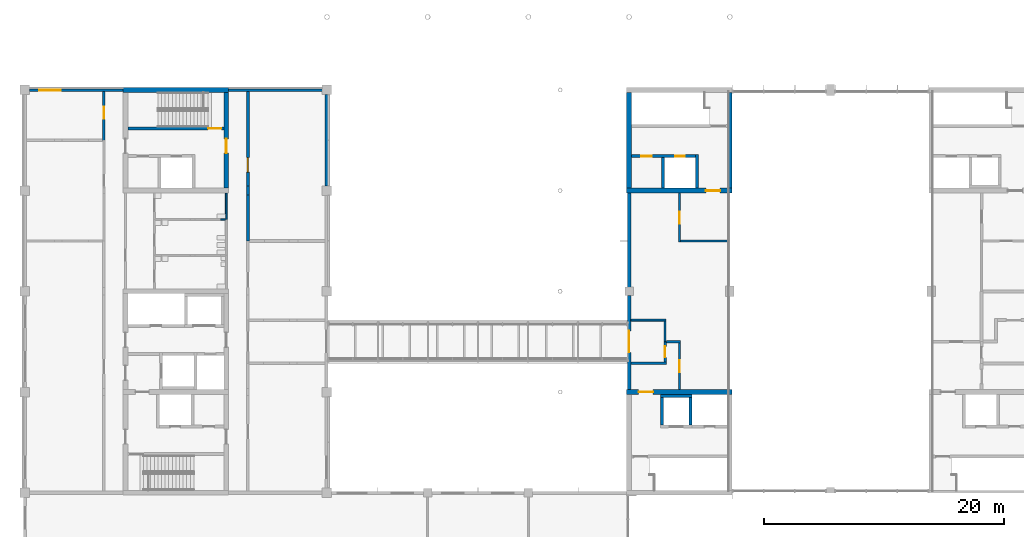
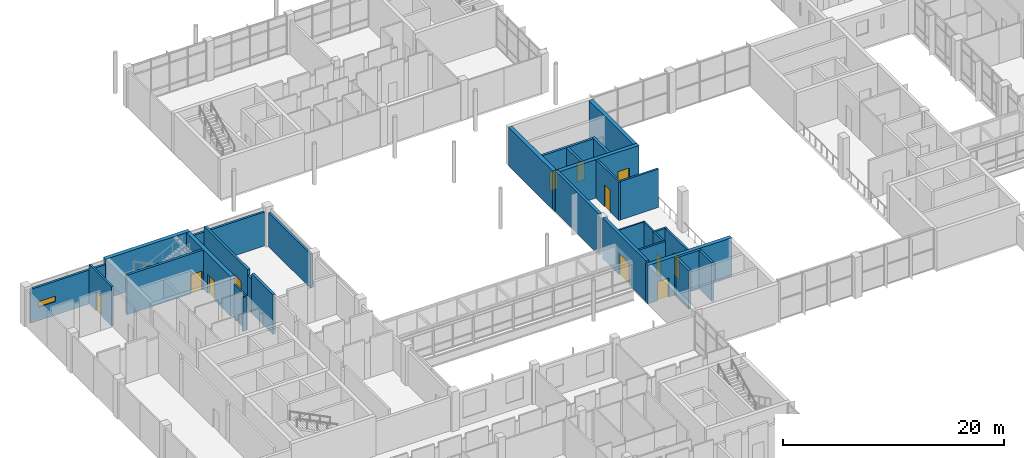
# One storey, part 37 of 70: 32 walls, 12 doors, 1 window, 13 openings.
"""IFC4 building model written with IfcOpenShell, lengths in metres."""

from ifc_helpers import new_model, si_unit, direction, frame, frame_2d, origin, place, context, subcontext, project, spatial, rectangle, extrude, material, layer, layer_set, type_object, element, fill, save


model = new_model("IFC4")

# Units and contexts
model_context = context("Model", 3, precision=1e-05, world=origin(), true_north=direction((0.0, 1.0)))
body_context = subcontext(model_context, "Body", "Model", "MODEL_VIEW")
ifc_project = project(units=[si_unit("LENGTHUNIT", "METRE"), si_unit("AREAUNIT", "SQUARE_METRE"), si_unit("VOLUMEUNIT", "CUBIC_METRE"), si_unit("PLANEANGLEUNIT", "RADIAN"), si_unit("MASSUNIT", "GRAM", prefix="KILO")], contexts=[model_context])

# Site, building, storey
site_placement = place(None, origin())
site = spatial("IfcSite", under=ifc_project, at=site_placement, CompositionType="ELEMENT")
building_placement = place(site_placement, origin())
building = spatial("IfcBuilding", under=site, at=building_placement, Name="Hlaing Beacon Police Headquarters", CompositionType="ELEMENT")
storey_placement = place(building_placement, frame((0.0, 0.0, 5.39990234375)))
storey = spatial("IfcBuildingStorey", under=building, at=storey_placement, Name="L01", CompositionType="ELEMENT", Elevation=5.39990234375)

# Wall, opening, door
ifc_material_1 = material(Name="Concrete C60/75", Category="concrete")
ifc_layer_1 = layer(ifc_material_1, 0.39990234375)
ifc_layer_set_1 = layer_set([ifc_layer_1], Name="Concrete C60/75")
wall_type_1 = type_object("IfcWallType", Name="Core shear wall 400", PredefinedType="SHEAR", material=ifc_layer_set_1)
wall_1_placement = place(storey_placement, frame((58.60009765625, 42.0, 0.0), z_axis=(0.0, 0.0, 1.0), x_axis=(1.0, 0.0, 0.0)))
wall_1 = element("IfcWall", 1, at=wall_1_placement, inside=storey, type_object=wall_type_1, Name="Core shear wall", PredefinedType="SHEAR", context=body_context, shape_type="SweptSolid", body=[
    extrude(rectangle(XDim=8.7998046875, YDim=0.39990234375, at=frame_2d((4.39990234375, 0.0))), origin(), (0.0, 0.0, 1.0), 4.25),
])
opening_1_placement = place(wall_1_placement, frame((1.0, 0.0, 0.0)))
opening_1 = element("IfcOpeningElement", 2, at=opening_1_placement, cuts=wall_1, Name="Opening L01-901", PredefinedType="OPENING", context=body_context, shape_type="SweptSolid", body=[
    extrude(rectangle(XDim=1.199951171875, YDim=2.10009765625, at=frame_2d((0.60009765625, 1.050048828125))), frame((0.0, 0.2099609375, 0.0), z_axis=(0.0, -1.0, 0.0), x_axis=(1.0, 0.0, 0.0)), (0.0, 0.0, 1.0), 0.419921875),
])
ifc_material_2 = material(Name="Steel fire door leaf", Category="steel")
ifc_layer_2 = layer(ifc_material_2, 0.070068359375)
ifc_layer_set_2 = layer_set([ifc_layer_2], Name="Steel fire door leaf")
door_type_1 = type_object("IfcDoorType", Name="Steel fire door FD60S 1200x2100", OperationType="SINGLE_SWING_LEFT", PredefinedType="DOOR", material=ifc_layer_set_2)
door_1_placement = place(opening_1_placement, frame((1.199951171875, 0.0, 0.0), z_axis=(0.0, 0.0, 1.0), x_axis=(-1.0, 0.0, 0.0)))
door_1 = element("IfcDoor", 3, at=door_1_placement, inside=storey, type_object=door_type_1, Name="Door Lift and Stair Lobby ST-A Entry", OperationType="SINGLE_SWING_RIGHT", OverallHeight=2.10009765625, OverallWidth=1.199951171875, PredefinedType="DOOR", context=body_context, shape_type="SweptSolid", body=[
    extrude(rectangle(XDim=1.199951171875, YDim=2.10009765625, at=frame_2d((0.599853515625, 1.050048828125))), frame((0.0, 0.034912109375, 0.0), z_axis=(0.0, -1.0, 0.0), x_axis=(1.0, 0.0, 0.0)), (0.0, 0.0, 1.0), 0.070068359375),
])
fill(opening_1, door_1)

wall_2_placement = place(storey_placement, frame((58.60009765625, 58.800048828125, 0.0), z_axis=(0.0, 0.0, 1.0), x_axis=(1.0, 0.0, 0.0)))
wall_2 = element("IfcWall", 4, at=wall_2_placement, inside=storey, type_object=wall_type_1, Name="Core shear wall", PredefinedType="SHEAR", context=body_context, shape_type="SweptSolid", body=[
    extrude(rectangle(XDim=8.7998046875, YDim=0.39990234375, at=frame_2d((4.39990234375, 0.0))), origin(), (0.0, 0.0, 1.0), 4.25),
])
opening_2_placement = place(wall_2_placement, frame((6.60009765625, 0.0, 0.0)))
opening_2 = element("IfcOpeningElement", 5, at=opening_2_placement, cuts=wall_2, Name="Opening L01-905", PredefinedType="OPENING", context=body_context, shape_type="SweptSolid", body=[
    extrude(rectangle(XDim=1.199951171875, YDim=2.10009765625, at=frame_2d((0.60009765625, 1.050048828125))), frame((0.0, 0.2099609375, 0.0), z_axis=(0.0, -1.0, 0.0), x_axis=(1.0, 0.0, 0.0)), (0.0, 0.0, 1.0), 0.419921875),
])
door_2_placement = place(opening_2_placement, origin())
door_2 = element("IfcDoor", 6, at=door_2_placement, inside=storey, type_object=door_type_1, Name="Door Stair Lobby ST-B Entry", OperationType="SINGLE_SWING_RIGHT", OverallHeight=2.10009765625, OverallWidth=1.199951171875, PredefinedType="DOOR", context=body_context, shape_type="SweptSolid", body=[
    extrude(rectangle(XDim=1.199951171875, YDim=2.10009765625, at=frame_2d((0.60009765625, 1.050048828125))), frame((0.0, 0.03515625, 0.0), z_axis=(0.0, -1.0, 0.0), x_axis=(1.0, 0.0, 0.0)), (0.0, 0.0, 1.0), 0.070068359375),
])
fill(opening_2, door_2)

# Walls
for number, where, z_axis, x_axis, name in (
    (7, (58.800048828125, 59.0, 0.0), (0.0, 0.0, 1.0), (0.0, 1.0, 0.0), "Core shear wall"),
    (8, (67.199951171875, 59.0, 0.0), (0.0, 0.0, 1.0), (0.0, 1.0, 0.0), "Core shear wall"),
):
    element("IfcWall", number, at=place(storey_placement, frame(where, z_axis=z_axis, x_axis=x_axis)), inside=storey, type_object=wall_type_1, Name=name, PredefinedType="SHEAR", context=body_context, shape_type="SweptSolid", body=[
        extrude(rectangle(XDim=8.0, YDim=0.39990234375, at=frame_2d((4.0, 0.0))), origin(), (0.0, 0.0, 1.0), 4.25),
    ])
wall_3_placement = place(storey_placement, frame((16.60009765625, 67.199951171875, 0.0), z_axis=(0.0, 0.0, 1.0), x_axis=(1.0, 0.0, 0.0)))
element("IfcWall", 9, at=wall_3_placement, inside=storey, type_object=wall_type_1, Name="Core shear wall", PredefinedType="SHEAR", context=body_context, shape_type="SweptSolid", body=[
    extrude(rectangle(XDim=8.7998046875, YDim=0.39990234375, at=frame_2d((4.39990234375, 0.0))), origin(), (0.0, 0.0, 1.0), 4.3701171875),
])

# Wall, opening, door
wall_4_placement = place(storey_placement, frame((25.199951171875, 59.0, 0.0), z_axis=(0.0, 0.0, 1.0), x_axis=(0.0, 1.0, 0.0)))
wall_4 = element("IfcWall", 10, at=wall_4_placement, inside=storey, type_object=wall_type_1, Name="Core shear wall", PredefinedType="SHEAR", context=body_context, shape_type="SweptSolid", body=[
    extrude(rectangle(XDim=8.0, YDim=0.39990234375, at=frame_2d((4.0, 0.0))), origin(), (0.0, 0.0, 1.0), 4.3701171875),
])
opening_3_placement = place(wall_4_placement, frame((2.925048828125, 0.0, 0.0)))
opening_3 = element("IfcOpeningElement", 11, at=opening_3_placement, cuts=wall_4, Name="Opening L01-958", PredefinedType="OPENING", context=body_context, shape_type="SweptSolid", body=[
    extrude(rectangle(XDim=1.199951171875, YDim=2.10009765625, at=frame_2d((0.60009765625, 1.050048828125))), frame((0.0, 0.2099609375, 0.0), z_axis=(0.0, -1.0, 0.0), x_axis=(1.0, 0.0, 0.0)), (0.0, 0.0, 1.0), 0.419921875),
])
door_3_placement = place(opening_3_placement, origin())
door_3 = element("IfcDoor", 12, at=door_3_placement, inside=storey, type_object=door_type_1, Name="Door Stair Lobby ST-P Entry", OperationType="SINGLE_SWING_RIGHT", OverallHeight=2.10009765625, OverallWidth=1.199951171875, PredefinedType="DOOR", context=body_context, shape_type="SweptSolid", body=[
    extrude(rectangle(XDim=1.199951171875, YDim=2.10009765625, at=frame_2d((0.60009765625, 1.050048828125))), frame((0.0, 0.03515625, 0.0), z_axis=(0.0, -1.0, 0.0), x_axis=(1.0, 0.0, 0.0)), (0.0, 0.0, 1.0), 0.070068359375),
])
fill(opening_3, door_3)

# Walls
ifc_material_3 = material(Name="Gypsum board partition")
ifc_layer_3 = layer(ifc_material_3, 0.14990234375)
ifc_layer_set_3 = layer_set([ifc_layer_3], Name="Gypsum board partition")
wall_type_2 = type_object("IfcWallType", Name="Corridor wall EI 30 150", PredefinedType="PARTITIONING", material=ifc_layer_set_3)
wall_5_placement = place(storey_placement, frame((58.949951171875, 48.0, 0.0), z_axis=(0.0, 0.0, 1.0), x_axis=(1.0, 0.0, 0.0)))
element("IfcWall", 13, at=wall_5_placement, inside=storey, type_object=wall_type_2, Name="Corridor wall EI 30 150", PredefinedType="PARTITIONING", context=body_context, shape_type="SweptSolid", body=[
    extrude(rectangle(XDim=2.925048828125, YDim=0.14990234375, at=frame_2d((1.46240234375, 0.0))), origin(), (0.0, 0.0, 1.0), 4.25),
])
wall_6_placement = place(storey_placement, frame((61.800048828125, 46.199951171875, 0.0), z_axis=(0.0, 0.0, 1.0), x_axis=(0.0, 1.0, 0.0)))
element("IfcWall", 14, at=wall_6_placement, inside=storey, type_object=wall_type_2, Name="Corridor wall EI 30 150", PredefinedType="PARTITIONING", context=body_context, shape_type="SweptSolid", body=[
    extrude(rectangle(XDim=1.72509765625, YDim=0.14990234375, at=frame_2d((0.862548828125, 0.0))), origin(), (0.0, 0.0, 1.0), 4.25),
])
wall_7_placement = place(storey_placement, frame((25.199951171875, 56.39990234375, 0.0), z_axis=(0.0, 0.0, 1.0), x_axis=(0.0, 1.0, 0.0)))
element("IfcWall", 15, at=wall_7_placement, inside=storey, type_object=wall_type_2, Name="Corridor wall EI 30 150", PredefinedType="PARTITIONING", context=body_context, shape_type="SweptSolid", body=[
    extrude(rectangle(XDim=2.2001953125, YDim=0.14990234375, at=frame_2d((1.10009765625, 0.0))), origin(), (0.0, 0.0, 1.0), 3.74609375),
])

# Wall, opening, door
ifc_material_4 = material(Name="Concrete blockwork 7.5 N/mm2", Category="masonry")
ifc_layer_4 = layer(ifc_material_4, 0.199951171875)
ifc_layer_set_4 = layer_set([ifc_layer_4], Name="Concrete blockwork 7.5 N/mm2")
wall_type_3 = type_object("IfcWallType", Name="Laboratory wall EI 60 200", PredefinedType="PARTITIONING", material=ifc_layer_set_4)
wall_8_placement = place(storey_placement, frame((15.0, 63.0, 0.0), z_axis=(0.0, 0.0, 1.0), x_axis=(0.0, 1.0, 0.0)))
wall_8 = element("IfcWall", 16, at=wall_8_placement, inside=storey, type_object=wall_type_3, Name="Laboratory wall EI 60 200", PredefinedType="PARTITIONING", context=body_context, shape_type="SweptSolid", body=[
    extrude(rectangle(XDim=4.050048828125, YDim=0.199951171875, at=frame_2d((2.02490234375, 0.0))), origin(), (0.0, 0.0, 1.0), 4.3701171875),
])
opening_4_placement = place(wall_8_placement, frame((1.800048828125, 0.0, 0.0)))
opening_4 = element("IfcOpeningElement", 17, at=opening_4_placement, cuts=wall_8, Name="Opening L01-068", PredefinedType="OPENING", context=body_context, shape_type="SweptSolid", body=[
    extrude(rectangle(XDim=1.0, YDim=2.10009765625, at=frame_2d((0.5, 1.050048828125))), frame((0.0, 0.10986328125, 0.0), z_axis=(0.0, -1.0, 0.0), x_axis=(1.0, 0.0, 0.0)), (0.0, 0.0, 1.0), 0.219970703125),
])
ifc_material_5 = material(Name="Hardwood door leaf", Category="wood")
ifc_layer_5 = layer(ifc_material_5, 0.050048828125)
ifc_layer_set_5 = layer_set([ifc_layer_5], Name="Hardwood door leaf")
door_type_2 = type_object("IfcDoorType", Name="Fire door FD30 1000x2100", OperationType="SINGLE_SWING_LEFT", PredefinedType="DOOR", material=ifc_layer_set_5)
door_4_placement = place(opening_4_placement, origin())
door_4 = element("IfcDoor", 18, at=door_4_placement, inside=storey, type_object=door_type_2, Name="Door Clean Room", OperationType="SINGLE_SWING_LEFT", OverallHeight=2.10009765625, OverallWidth=1.0, PredefinedType="DOOR", context=body_context, shape_type="SweptSolid", body=[
    extrude(rectangle(XDim=1.0, YDim=2.10009765625, at=frame_2d((0.5, 1.050048828125))), frame((0.0, 0.02490234375, 0.0), z_axis=(0.0, -1.0, 0.0), x_axis=(1.0, 0.0, 0.0)), (0.0, 0.0, 1.0), 0.050048828125),
])
fill(opening_4, door_4)

# Wall
ifc_material_6 = material(Name="Concrete blockwork 7.5 N/mm2", Category="masonry")
ifc_layer_6 = layer(ifc_material_6, 0.199951171875)
ifc_layer_set_6 = layer_set([ifc_layer_6], Name="Concrete blockwork 7.5 N/mm2")
wall_type_4 = type_object("IfcWallType", Name="Lobby wall EI 120 200", PredefinedType="PARTITIONING", material=ifc_layer_set_6)
wall_9_placement = place(storey_placement, frame((58.949951171875, 44.39990234375, 0.0), z_axis=(0.0, 0.0, 1.0), x_axis=(1.0, 0.0, 0.0)))
element("IfcWall", 19, at=wall_9_placement, inside=storey, type_object=wall_type_4, Name="Lobby wall EI 120 200", PredefinedType="PARTITIONING", context=body_context, shape_type="SweptSolid", body=[
    extrude(rectangle(XDim=2.949951171875, YDim=0.199951171875, at=frame_2d((1.47509765625, 0.0))), origin(), (0.0, 0.0, 1.0), 4.25),
])

# Wall, opening, door
wall_10_placement = place(storey_placement, frame((61.800048828125, 44.5, 0.0), z_axis=(0.0, 0.0, 1.0), x_axis=(0.0, 1.0, 0.0)))
wall_10 = element("IfcWall", 20, at=wall_10_placement, inside=storey, type_object=wall_type_4, Name="Lobby wall EI 120 200", PredefinedType="PARTITIONING", context=body_context, shape_type="SweptSolid", body=[
    extrude(rectangle(XDim=1.699951171875, YDim=0.199951171875, at=frame_2d((0.85009765625, 0.0))), origin(), (0.0, 0.0, 1.0), 4.25),
])
opening_5_placement = place(wall_10_placement, frame((0.39990234375, 0.0, 0.0)))
opening_5 = element("IfcOpeningElement", 21, at=opening_5_placement, cuts=wall_10, Name="Opening L01-001", PredefinedType="OPENING", context=body_context, shape_type="SweptSolid", body=[
    extrude(rectangle(XDim=0.89990234375, YDim=2.10009765625, at=frame_2d((0.449951171875, 1.050048828125))), frame((0.0, 0.10986328125, 0.0), z_axis=(0.0, -1.0, 0.0), x_axis=(1.0, 0.0, 0.0)), (0.0, 0.0, 1.0), 0.219970703125),
])
ifc_material_7 = material(Name="Hardwood door leaf", Category="wood")
ifc_layer_7 = layer(ifc_material_7, 0.06005859375)
ifc_layer_set_7 = layer_set([ifc_layer_7], Name="Hardwood door leaf")
door_type_3 = type_object("IfcDoorType", Name="Fire door FD60S 900x2100", OperationType="SINGLE_SWING_LEFT", PredefinedType="DOOR", material=ifc_layer_set_7)
door_5_placement = place(opening_5_placement, origin())
door_5 = element("IfcDoor", 22, at=door_5_placement, inside=storey, type_object=door_type_3, Name="Door Bridge Landing", OperationType="SINGLE_SWING_RIGHT", OverallHeight=2.10009765625, OverallWidth=0.89990234375, PredefinedType="DOOR", context=body_context, shape_type="SweptSolid", body=[
    extrude(rectangle(XDim=0.89990234375, YDim=2.10009765625, at=frame_2d((0.449951171875, 1.050048828125))), frame((0.0, 0.030029296875, 0.0), z_axis=(0.0, -1.0, 0.0), x_axis=(1.0, 0.0, 0.0)), (0.0, 0.0, 1.0), 0.06005859375),
])
fill(opening_5, door_5)

wall_11_placement = place(storey_placement, frame((63.0, 54.5, 0.0), z_axis=(0.0, 0.0, 1.0), x_axis=(0.0, 1.0, 0.0)))
wall_11 = element("IfcWall", 23, at=wall_11_placement, inside=storey, type_object=wall_type_4, Name="Lobby wall EI 120 200", PredefinedType="PARTITIONING", context=body_context, shape_type="SweptSolid", body=[
    extrude(rectangle(XDim=4.10009765625, YDim=0.199951171875, at=frame_2d((2.050048828125, 0.0))), origin(), (0.0, 0.0, 1.0), 4.25),
])
opening_6_placement = place(wall_11_placement, frame((1.550048828125, 0.0, 0.0)))
opening_6 = element("IfcOpeningElement", 24, at=opening_6_placement, cuts=wall_11, Name="Opening L01-008", PredefinedType="OPENING", context=body_context, shape_type="SweptSolid", body=[
    extrude(rectangle(XDim=1.0, YDim=2.39990234375, at=frame_2d((0.5, 1.199951171875))), frame((0.0, 0.10986328125, 0.0), z_axis=(0.0, -1.0, 0.0), x_axis=(1.0, 0.0, 0.0)), (0.0, 0.0, 1.0), 0.219970703125),
])
ifc_material_8 = material(Name="Aluminium frame with safety glazing", Category="aluminium")
ifc_layer_8 = layer(ifc_material_8, 0.070068359375)
ifc_layer_set_8 = layer_set([ifc_layer_8], Name="Aluminium frame with safety glazing")
door_type_4 = type_object("IfcDoorType", Name="Fire glazed public door FD60S 1000x2400", OperationType="SINGLE_SWING_LEFT", PredefinedType="DOOR", material=ifc_layer_set_8)
door_6_placement = place(opening_6_placement, origin())
door_6 = element("IfcDoor", 25, at=door_6_placement, inside=storey, type_object=door_type_4, Name="Door Community Exhibition Gallery West", OperationType="SINGLE_SWING_LEFT", OverallHeight=2.39990234375, OverallWidth=1.0, PredefinedType="DOOR", context=body_context, shape_type="SweptSolid", body=[
    extrude(rectangle(XDim=1.0, YDim=2.39990234375, at=frame_2d((0.5, 1.199951171875))), frame((0.0, 0.03515625, 0.0), z_axis=(0.0, -1.0, 0.0), x_axis=(1.0, 0.0, 0.0)), (0.0, 0.0, 1.0), 0.070068359375),
])
fill(opening_6, door_6)

# Walls
wall_12_placement = place(storey_placement, frame((63.10009765625, 54.60009765625, 0.0), z_axis=(0.0, 0.0, 1.0), x_axis=(1.0, 0.0, 0.0)))
element("IfcWall", 26, at=wall_12_placement, inside=storey, type_object=wall_type_4, Name="Lobby wall EI 120 200", PredefinedType="PARTITIONING", context=body_context, shape_type="SweptSolid", body=[
    extrude(rectangle(XDim=3.949951171875, YDim=0.199951171875, at=frame_2d((1.97509765625, 0.0))), origin(), (0.0, 0.0, 1.0), 4.25),
])
wall_13_placement = place(storey_placement, frame((61.89990234375, 46.199951171875, 0.0), z_axis=(0.0, 0.0, 1.0), x_axis=(1.0, 0.0, 0.0)))
element("IfcWall", 27, at=wall_13_placement, inside=storey, type_object=wall_type_4, Name="Lobby wall EI 120 200", PredefinedType="PARTITIONING", context=body_context, shape_type="SweptSolid", body=[
    extrude(rectangle(XDim=1.2001953125, YDim=0.199951171875, at=frame_2d((0.60009765625, 0.0))), origin(), (0.0, 0.0, 1.0), 4.25),
])

# Wall, opening, door
wall_14_placement = place(storey_placement, frame((63.0, 42.199951171875, 0.0), z_axis=(0.0, 0.0, 1.0), x_axis=(0.0, 1.0, 0.0)))
wall_14 = element("IfcWall", 28, at=wall_14_placement, inside=storey, type_object=wall_type_4, Name="Lobby wall EI 120 200", PredefinedType="PARTITIONING", context=body_context, shape_type="SweptSolid", body=[
    extrude(rectangle(XDim=3.900146484375, YDim=0.199951171875, at=frame_2d((1.9501953125, 0.0))), origin(), (0.0, 0.0, 1.0), 4.25),
])
opening_7_placement = place(wall_14_placement, frame((1.449951171875, 0.0, 0.0)))
opening_7 = element("IfcOpeningElement", 29, at=opening_7_placement, cuts=wall_14, Name="Opening L01-009", PredefinedType="OPENING", context=body_context, shape_type="SweptSolid", body=[
    extrude(rectangle(XDim=1.0, YDim=2.39990234375, at=frame_2d((0.5, 1.199951171875))), frame((0.0, 0.10986328125, 0.0), z_axis=(0.0, -1.0, 0.0), x_axis=(1.0, 0.0, 0.0)), (0.0, 0.0, 1.0), 0.219970703125),
])
door_7_placement = place(opening_7_placement, frame((1.0, 0.0, 0.0), z_axis=(0.0, 0.0, 1.0), x_axis=(-1.0, 0.0, 0.0)))
door_7 = element("IfcDoor", 30, at=door_7_placement, inside=storey, type_object=door_type_4, Name="Door Community Exhibition Gallery West", OperationType="SINGLE_SWING_RIGHT", OverallHeight=2.39990234375, OverallWidth=1.0, PredefinedType="DOOR", context=body_context, shape_type="SweptSolid", body=[
    extrude(rectangle(XDim=1.0, YDim=2.39990234375, at=frame_2d((0.5, 1.199951171875))), frame((0.0, 0.034912109375, 0.0), z_axis=(0.0, -1.0, 0.0), x_axis=(1.0, 0.0, 0.0)), (0.0, 0.0, 1.0), 0.070068359375),
])
fill(opening_7, door_7)

# Walls
ifc_material_9 = material(Name="Gypsum board partition")
ifc_layer_9 = layer(ifc_material_9, 0.125)
ifc_layer_set_9 = layer_set([ifc_layer_9], Name="Gypsum board partition")
wall_type_5 = type_object("IfcWallType", Name="Partition 125", PredefinedType="PARTITIONING", material=ifc_layer_set_9)
wall_15_placement = place(storey_placement, frame((24.739990234375, 56.39990234375, 0.0), z_axis=(0.0, 0.0, 1.0), x_axis=(1.0, 0.0, 0.0)))
element("IfcWall", 31, at=wall_15_placement, inside=storey, type_object=wall_type_5, Name="Partition 125", PredefinedType="PARTITIONING", context=body_context, shape_type="SweptSolid", body=[
    extrude(rectangle(XDim=0.385009765625, YDim=0.125, at=frame_2d((0.1923828125, 0.0))), origin(), (0.0, 0.0, 1.0), 3.74609375),
])
ifc_material_10 = material(Name="Concrete blockwork 7.5 N/mm2", Category="masonry")
ifc_layer_10 = layer(ifc_material_10, 0.25)
ifc_layer_set_10 = layer_set([ifc_layer_10], Name="Concrete blockwork 7.5 N/mm2")
wall_type_6 = type_object("IfcWallType", Name="Plant room wall EI 120 250", PredefinedType="PARTITIONING", material=ifc_layer_set_10)
wall_16_placement = place(storey_placement, frame((27.0, 54.60009765625, 0.0), z_axis=(0.0, 0.0, 1.0), x_axis=(0.0, 1.0, 0.0)))
element("IfcWall", 32, at=wall_16_placement, inside=storey, type_object=wall_type_6, Name="Plant room wall EI 120 250", PredefinedType="PARTITIONING", context=body_context, shape_type="SweptSolid", body=[
    extrude(rectangle(XDim=3.81982421875, YDim=0.25, at=frame_2d((1.909912109375, 0.0))), origin(), (0.0, 0.0, 1.0), 4.3701171875),
])
wall_17_placement = place(storey_placement, frame((27.0, 58.419921875, 0.0), z_axis=(0.0, 0.0, 1.0), x_axis=(0.0, 1.0, 0.0)))
element("IfcWall", 33, at=wall_17_placement, inside=storey, type_object=wall_type_6, Name="Plant room wall EI 120 250", PredefinedType="PARTITIONING", context=body_context, shape_type="SweptSolid", body=[
    extrude(rectangle(XDim=0.760009765625, YDim=0.25, at=frame_2d((0.3798828125, 0.0))), origin(), (0.0, 0.0, 1.0), 3.74609375),
])

# Wall, opening, door
wall_18_placement = place(storey_placement, frame((27.0, 59.179931640625, 0.0), z_axis=(0.0, 0.0, 1.0), x_axis=(0.0, 1.0, 0.0)))
wall_18 = element("IfcWall", 34, at=wall_18_placement, inside=storey, type_object=wall_type_6, Name="Plant room wall EI 120 250", PredefinedType="PARTITIONING", context=body_context, shape_type="SweptSolid", body=[
    extrude(rectangle(XDim=7.8701171875, YDim=0.25, at=frame_2d((3.93505859375, 0.0))), origin(), (0.0, 0.0, 1.0), 4.3701171875),
])
opening_8_placement = place(wall_18_placement, frame((1.169921875, 0.0, 0.0)))
opening_8 = element("IfcOpeningElement", 35, at=opening_8_placement, cuts=wall_18, Name="Opening L01-061", PredefinedType="OPENING", context=body_context, shape_type="SweptSolid", body=[
    extrude(rectangle(XDim=1.199951171875, YDim=2.39990234375, at=frame_2d((0.60009765625, 1.199951171875))), frame((0.0, 0.135009765625, 0.0), z_axis=(0.0, -1.0, 0.0), x_axis=(1.0, 0.0, 0.0)), (0.0, 0.0, 1.0), 0.27001953125),
])
ifc_material_11 = material(Name="Steel fire door leaf", Category="steel")
ifc_layer_11 = layer(ifc_material_11, 0.10009765625)
ifc_layer_set_11 = layer_set([ifc_layer_11], Name="Steel fire door leaf")
door_type_5 = type_object("IfcDoorType", Name="Steel plant door FD120 1200x2400", OperationType="SINGLE_SWING_LEFT", PredefinedType="DOOR", material=ifc_layer_set_11)
door_8_placement = place(opening_8_placement, frame((1.199951171875, 0.0, 0.0), z_axis=(0.0, 0.0, 1.0), x_axis=(-1.0, 0.0, 0.0)))
door_8 = element("IfcDoor", 36, at=door_8_placement, inside=storey, type_object=door_type_5, Name="Door Laboratory Plant Room", OperationType="SINGLE_SWING_RIGHT", OverallHeight=2.39990234375, OverallWidth=1.199951171875, PredefinedType="DOOR", context=body_context, shape_type="SweptSolid", body=[
    extrude(rectangle(XDim=1.199951171875, YDim=2.39990234375, at=frame_2d((0.599853515625, 1.199951171875))), frame((0.0, 0.050048828125, 0.0), z_axis=(0.0, -1.0, 0.0), x_axis=(1.0, 0.0, 0.0)), (0.0, 0.0, 1.0), 0.10009765625),
])
fill(opening_8, door_8)

# Wall
ifc_material_12 = material(Name="Concrete C40/50 precast ribbed cladding", Category="concrete")
ifc_layer_12 = layer(ifc_material_12, 0.300048828125)
ifc_layer_set_12 = layer_set([ifc_layer_12], Name="Concrete C40/50 precast ribbed cladding")
wall_type_7 = type_object("IfcWallType", Name="Precast ribbed wall 300", PredefinedType="SOLIDWALL", material=ifc_layer_set_12)
wall_19_placement = place(storey_placement, frame((58.800048828125, 58.60009765625, 0.0), z_axis=(0.0, 0.0, 1.0), x_axis=(0.0, -1.0, 0.0)))
element("IfcWall", 37, at=wall_19_placement, inside=storey, type_object=wall_type_7, Name="External wall L01 W042", PredefinedType="SOLIDWALL", context=body_context, shape_type="SweptSolid", body=[
    extrude(rectangle(XDim=7.8701171875, YDim=0.300048828125, at=frame_2d((3.93505859375, 0.0))), origin(), (0.0, 0.0, 1.0), 4.5),
])

# Wall, opening, door
wall_20_placement = place(storey_placement, frame((58.800048828125, 50.070068359375, 0.0), z_axis=(0.0, 0.0, 1.0), x_axis=(0.0, -1.0, 0.0)))
wall_20 = element("IfcWall", 38, at=wall_20_placement, inside=storey, type_object=wall_type_7, Name="External wall L01 W043", PredefinedType="SOLIDWALL", context=body_context, shape_type="SweptSolid", body=[
    extrude(rectangle(XDim=7.8701171875, YDim=0.300048828125, at=frame_2d((3.93505859375, 0.0))), origin(), (0.0, 0.0, 1.0), 4.5),
])
opening_9_placement = place(wall_20_placement, frame((2.969970703125, 0.0, 0.0)))
opening_9 = element("IfcOpeningElement", 39, at=opening_9_placement, cuts=wall_20, Name="Opening L01-803", PredefinedType="OPENING", context=body_context, shape_type="SweptSolid", body=[
    extrude(rectangle(XDim=1.800048828125, YDim=2.39990234375, at=frame_2d((0.89990234375, 1.199951171875))), frame((0.0, 0.16015625, 0.0), z_axis=(0.0, -1.0, 0.0), x_axis=(1.0, 0.0, 0.0)), (0.0, 0.0, 1.0), 0.320068359375),
])
ifc_material_13 = material(Name="Aluminium framed glazed door", Category="aluminium")
door_type_6 = type_object("IfcDoorType", Name="Entrance door 1800x2400 double", OperationType="DOUBLE_DOOR_DOUBLE_SWING", PredefinedType="DOOR", material=ifc_material_13)
door_9_placement = place(opening_9_placement, frame((1.800048828125, 0.0, 0.0), z_axis=(0.0, 0.0, 1.0), x_axis=(-1.0, 0.0, 0.0)))
door_9 = element("IfcDoor", 40, at=door_9_placement, inside=storey, type_object=door_type_6, Name="Door Bridge BR1 east door", OperationType="DOUBLE_DOOR_DOUBLE_SWING", OverallHeight=2.39990234375, OverallWidth=1.800048828125, PredefinedType="DOOR", context=body_context, shape_type="SweptSolid", body=[
    extrude(rectangle(XDim=1.800048828125, YDim=2.39990234375, at=frame_2d((0.900146484375, 1.199951171875))), frame((0.0, 0.025146484375, 0.0), z_axis=(0.0, -1.0, 0.0), x_axis=(1.0, 0.0, 0.0)), (0.0, 0.0, 1.0), 0.050048828125),
])
fill(opening_9, door_9)

# Walls
ifc_material_14 = material(Name="Fibre cement ribbed cladding on insulated frame")
ifc_layer_13 = layer(ifc_material_14, 0.22509765625)
ifc_layer_set_13 = layer_set([ifc_layer_13], Name="Fibre cement ribbed cladding on insulated frame")
wall_type_8 = type_object("IfcWallType", Name="Ribbed fibre-cement clad wall 225", PredefinedType="SOLIDWALL", material=ifc_layer_set_13)
wall_21_placement = place(storey_placement, frame((33.5625, 59.179931640625, 0.0), z_axis=(0.0, 0.0, 1.0), x_axis=(0.0, 1.0, 0.0)))
element("IfcWall", 41, at=wall_21_placement, inside=storey, type_object=wall_type_8, Name="External wall L01 E019", PredefinedType="SOLIDWALL", context=body_context, shape_type="SweptSolid", body=[
    extrude(rectangle(XDim=7.64013671875, YDim=0.22509765625, at=frame_2d((3.820068359375, 0.0))), origin(), (0.0, 0.0, 1.0), 3.74609375),
])
wall_22_placement = place(storey_placement, frame((33.219970703125, 67.16259765625, 0.0), z_axis=(0.0, 0.0, 1.0), x_axis=(-1.0, 0.0, 0.0)))
element("IfcWall", 42, at=wall_22_placement, inside=storey, type_object=wall_type_8, Name="External wall L01 N020", PredefinedType="SOLIDWALL", context=body_context, shape_type="SweptSolid", body=[
    extrude(rectangle(XDim=7.820068359375, YDim=0.22509765625, at=frame_2d((3.91015625, 0.0))), origin(), (0.0, 0.0, 1.0), 3.74609375),
])

# Wall, opening, window
wall_23_placement = place(storey_placement, frame((16.60009765625, 67.16259765625, 0.0), z_axis=(0.0, 0.0, 1.0), x_axis=(-1.0, 0.0, 0.0)))
wall_23 = element("IfcWall", 43, at=wall_23_placement, inside=storey, type_object=wall_type_8, Name="External wall L01 N021", PredefinedType="SOLIDWALL", context=body_context, shape_type="SweptSolid", body=[
    extrude(rectangle(XDim=7.820068359375, YDim=0.22509765625, at=frame_2d((3.91015625, 0.0))), origin(), (0.0, 0.0, 1.0), 3.74609375),
])
opening_10_placement = place(wall_23_placement, frame((5.199951171875, 0.0, 1.5)))
opening_10 = element("IfcOpeningElement", 44, at=opening_10_placement, cuts=wall_23, Name="Opening WN19", PredefinedType="OPENING", context=body_context, shape_type="SweptSolid", body=[
    extrude(rectangle(XDim=1.800048828125, YDim=0.60009765625, at=frame_2d((0.89990234375, 0.300048828125))), frame((0.0, 0.12255859375, 0.0), z_axis=(0.0, -1.0, 0.0), x_axis=(1.0, 0.0, 0.0)), (0.0, 0.0, 1.0), 0.2451171875),
])
ifc_material_15 = material(Name="Aluminium frame with solar control glazing", Category="aluminium")
window_type = type_object("IfcWindowType", Name="Strip window 1800x600 frame 60", PartitioningType="SINGLE_PANEL", PredefinedType="WINDOW", material=ifc_material_15)
window_placement = place(opening_10_placement, origin())
window = element("IfcWindow", 45, at=window_placement, inside=storey, type_object=window_type, Name="Window L01 WJ", OverallHeight=0.60009765625, OverallWidth=1.800048828125, PartitioningType="SINGLE_PANEL", PredefinedType="WINDOW", context=body_context, shape_type="SweptSolid", body=[
    extrude(rectangle(XDim=1.800048828125, YDim=0.60009765625, at=frame_2d((0.89990234375, 0.300048828125))), frame((0.0, 0.030029296875, 0.0), z_axis=(0.0, -1.0, 0.0), x_axis=(1.0, 0.0, 0.0)), (0.0, 0.0, 1.0), 0.06005859375),
])
fill(opening_10, window)

# Wall
ifc_material_16 = material(Name="Concrete C40/50", Category="concrete")
ifc_layer_14 = layer(ifc_material_16, 0.25)
ifc_layer_set_14 = layer_set([ifc_layer_14], Name="Concrete C40/50")
wall_type_9 = type_object("IfcWallType", Name="Shaft wall 250", PredefinedType="SOLIDWALL", material=ifc_layer_set_14)
wall_24_placement = place(storey_placement, frame((64.47509765625, 61.800048828125, 0.0), z_axis=(0.0, 0.0, 1.0), x_axis=(0.0, -1.0, 0.0)))
element("IfcWall", 46, at=wall_24_placement, inside=storey, type_object=wall_type_9, Name="Lobby wall", PredefinedType="SOLIDWALL", context=body_context, shape_type="SweptSolid", body=[
    extrude(rectangle(XDim=2.800048828125, YDim=0.25, at=frame_2d((1.39990234375, 0.0))), origin(), (0.0, 0.0, 1.0), 4.25),
])

# Wall, openings, doors
wall_25_placement = place(storey_placement, frame((64.35009765625, 61.675048828125, 0.0), z_axis=(0.0, 0.0, 1.0), x_axis=(-1.0, 0.0, 0.0)))
wall_25 = element("IfcWall", 47, at=wall_25_placement, inside=storey, type_object=wall_type_9, Name="Lobby wall", PredefinedType="SOLIDWALL", context=body_context, shape_type="SweptSolid", body=[
    extrude(rectangle(XDim=5.35009765625, YDim=0.25, at=frame_2d((2.675048828125, 0.0))), origin(), (0.0, 0.0, 1.0), 4.25),
])
opening_11_placement = place(wall_25_placement, frame((3.64990234375, 0.0, 0.0)))
opening_11 = element("IfcOpeningElement", 48, at=opening_11_placement, cuts=wall_25, Name="Opening L01-904", PredefinedType="OPENING", context=body_context, shape_type="SweptSolid", body=[
    extrude(rectangle(XDim=0.89990234375, YDim=2.10009765625, at=frame_2d((0.449951171875, 1.050048828125))), frame((0.0, 0.135009765625, 0.0), z_axis=(0.0, -1.0, 0.0), x_axis=(1.0, 0.0, 0.0)), (0.0, 0.0, 1.0), 0.27001953125),
])
opening_12_placement = place(wall_25_placement, frame((0.89990234375, 0.0, 0.0)))
opening_12 = element("IfcOpeningElement", 49, at=opening_12_placement, cuts=wall_25, Name="Opening L01-906", PredefinedType="OPENING", context=body_context, shape_type="SweptSolid", body=[
    extrude(rectangle(XDim=0.800048828125, YDim=2.10009765625, at=frame_2d((0.39990234375, 1.050048828125))), frame((0.0, 0.135009765625, 0.0), z_axis=(0.0, -1.0, 0.0), x_axis=(1.0, 0.0, 0.0)), (0.0, 0.0, 1.0), 0.27001953125),
])
ifc_material_17 = material(Name="Steel fire door leaf", Category="steel")
ifc_layer_15 = layer(ifc_material_17, 0.070068359375)
ifc_layer_set_15 = layer_set([ifc_layer_15], Name="Steel fire door leaf")
door_type_7 = type_object("IfcDoorType", Name="Steel fire door FD60 800x2100", OperationType="SINGLE_SWING_LEFT", PredefinedType="DOOR", material=ifc_layer_set_15)
door_10_placement = place(opening_12_placement, origin())
door_10 = element("IfcDoor", 50, at=door_10_placement, inside=storey, type_object=door_type_7, Name="Door Services Riser", OperationType="SINGLE_SWING_RIGHT", OverallHeight=2.10009765625, OverallWidth=0.800048828125, PredefinedType="DOOR", context=body_context, shape_type="SweptSolid", body=[
    extrude(rectangle(XDim=0.800048828125, YDim=2.10009765625, at=frame_2d((0.39990234375, 1.050048828125))), frame((0.0, 0.03515625, 0.0), z_axis=(0.0, -1.0, 0.0), x_axis=(1.0, 0.0, 0.0)), (0.0, 0.0, 1.0), 0.070068359375),
])
fill(opening_12, door_10)
ifc_material_18 = material(Name="Steel fire door leaf", Category="steel")
ifc_layer_16 = layer(ifc_material_18, 0.070068359375)
ifc_layer_set_16 = layer_set([ifc_layer_16], Name="Steel fire door leaf")
door_type_8 = type_object("IfcDoorType", Name="Steel fire door FD60 900x2100", OperationType="SINGLE_SWING_LEFT", PredefinedType="DOOR", material=ifc_layer_set_16)
door_11_placement = place(opening_11_placement, origin())
door_11 = element("IfcDoor", 51, at=door_11_placement, inside=storey, type_object=door_type_8, Name="Door Cleaners' Store", OperationType="SINGLE_SWING_LEFT", OverallHeight=2.10009765625, OverallWidth=0.89990234375, PredefinedType="DOOR", context=body_context, shape_type="SweptSolid", body=[
    extrude(rectangle(XDim=0.89990234375, YDim=2.10009765625, at=frame_2d((0.449951171875, 1.050048828125))), frame((0.0, 0.03515625, 0.0), z_axis=(0.0, -1.0, 0.0), x_axis=(1.0, 0.0, 0.0)), (0.0, 0.0, 1.0), 0.070068359375),
])
fill(opening_11, door_11)

# Wall
wall_26_placement = place(storey_placement, frame((61.625, 61.550048828125, 0.0), z_axis=(0.0, 0.0, 1.0), x_axis=(0.0, -1.0, 0.0)))
element("IfcWall", 52, at=wall_26_placement, inside=storey, type_object=wall_type_9, Name="Riser wall", PredefinedType="SOLIDWALL", context=body_context, shape_type="SweptSolid", body=[
    extrude(rectangle(XDim=2.550048828125, YDim=0.25, at=frame_2d((1.27490234375, 0.0))), origin(), (0.0, 0.0, 1.0), 4.25),
])

# Wall, opening, door
wall_27_placement = place(storey_placement, frame((25.0, 63.97509765625, 0.0), z_axis=(0.0, 0.0, 1.0), x_axis=(-1.0, 0.0, 0.0)))
wall_27 = element("IfcWall", 53, at=wall_27_placement, inside=storey, type_object=wall_type_9, Name="Stair enclosure wall", PredefinedType="SOLIDWALL", context=body_context, shape_type="SweptSolid", body=[
    extrude(rectangle(XDim=8.0, YDim=0.25, at=frame_2d((4.0, 0.0))), origin(), (0.0, 0.0, 1.0), 4.3701171875),
])
opening_13_placement = place(wall_27_placement, frame((0.199951171875, 0.0, 0.0)))
opening_13 = element("IfcOpeningElement", 54, at=opening_13_placement, cuts=wall_27, Name="Opening L01-960", PredefinedType="OPENING", context=body_context, shape_type="SweptSolid", body=[
    extrude(rectangle(XDim=1.10009765625, YDim=2.10009765625, at=frame_2d((0.550048828125, 1.050048828125))), frame((0.0, 0.135009765625, 0.0), z_axis=(0.0, -1.0, 0.0), x_axis=(1.0, 0.0, 0.0)), (0.0, 0.0, 1.0), 0.27001953125),
])
ifc_material_19 = material(Name="Steel fire door leaf", Category="steel")
ifc_layer_17 = layer(ifc_material_19, 0.070068359375)
ifc_layer_set_17 = layer_set([ifc_layer_17], Name="Steel fire door leaf")
door_type_9 = type_object("IfcDoorType", Name="Steel fire door FD60 1100x2100", OperationType="SINGLE_SWING_LEFT", PredefinedType="DOOR", material=ifc_layer_set_17)
door_12_placement = place(opening_13_placement, frame((1.10009765625, 0.0, 0.0), z_axis=(0.0, 0.0, 1.0), x_axis=(-1.0, 0.0, 0.0)))
door_12 = element("IfcDoor", 55, at=door_12_placement, inside=storey, type_object=door_type_9, Name="Door Stair ST-P", OperationType="SINGLE_SWING_LEFT", OverallHeight=2.10009765625, OverallWidth=1.10009765625, PredefinedType="DOOR", context=body_context, shape_type="SweptSolid", body=[
    extrude(rectangle(XDim=1.10009765625, YDim=2.10009765625, at=frame_2d((0.550048828125, 1.050048828125))), frame((0.0, 0.034912109375, 0.0), z_axis=(0.0, -1.0, 0.0), x_axis=(1.0, 0.0, 0.0)), (0.0, 0.0, 1.0), 0.070068359375),
])
fill(opening_13, door_12)

# Walls
wall_28_placement = place(storey_placement, frame((63.925048828125, 39.25, 0.0), z_axis=(0.0, 0.0, 1.0), x_axis=(0.0, 1.0, 0.0)))
element("IfcWall", 56, at=wall_28_placement, inside=storey, type_object=wall_type_9, Name="Lift shaft wall PL1", PredefinedType="SOLIDWALL", context=body_context, shape_type="SweptSolid", body=[
    extrude(rectangle(XDim=2.300048828125, YDim=0.25, at=frame_2d((1.14990234375, 0.0))), origin(), (0.0, 0.0, 1.0), 4.25),
])
wall_29_placement = place(storey_placement, frame((61.39990234375, 41.675048828125, 0.0), z_axis=(0.0, 0.0, 1.0), x_axis=(1.0, 0.0, 0.0)))
element("IfcWall", 57, at=wall_29_placement, inside=storey, type_object=wall_type_9, Name="Lift shaft wall PL1", PredefinedType="SOLIDWALL", context=body_context, shape_type="SweptSolid", body=[
    extrude(rectangle(XDim=2.650146484375, YDim=0.25, at=frame_2d((1.3251953125, 0.0))), origin(), (0.0, 0.0, 1.0), 4.25),
])
wall_30_placement = place(storey_placement, frame((61.52490234375, 39.25, 0.0), z_axis=(0.0, 0.0, 1.0), x_axis=(0.0, 1.0, 0.0)))
element("IfcWall", 58, at=wall_30_placement, inside=storey, type_object=wall_type_9, Name="Lift shaft wall PL1", PredefinedType="SOLIDWALL", context=body_context, shape_type="SweptSolid", body=[
    extrude(rectangle(XDim=2.300048828125, YDim=0.25, at=frame_2d((1.14990234375, 0.0))), origin(), (0.0, 0.0, 1.0), 4.25),
])

save(model, "model.ifc")
